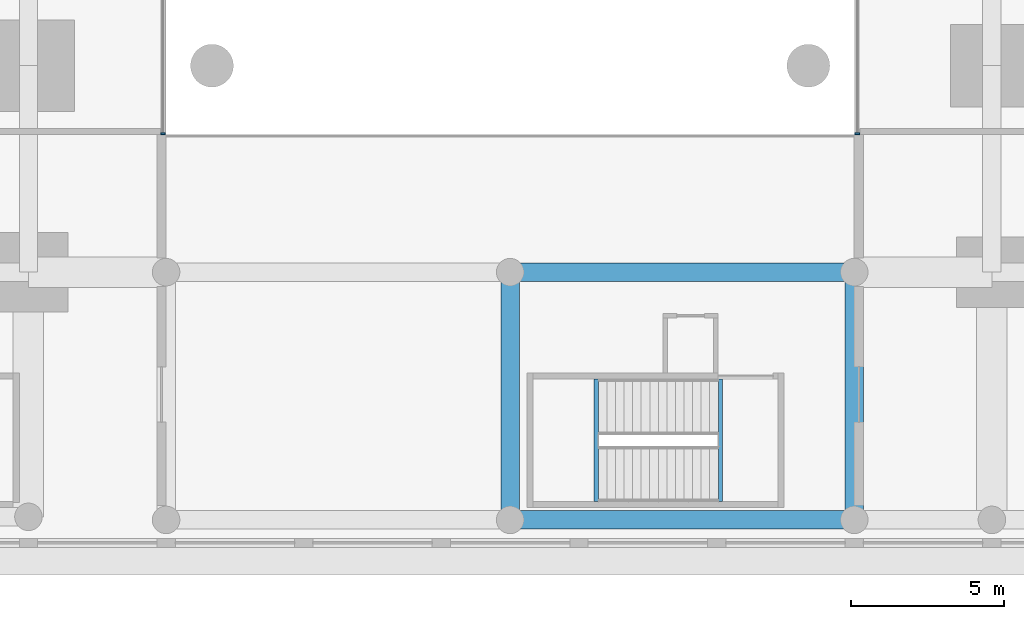
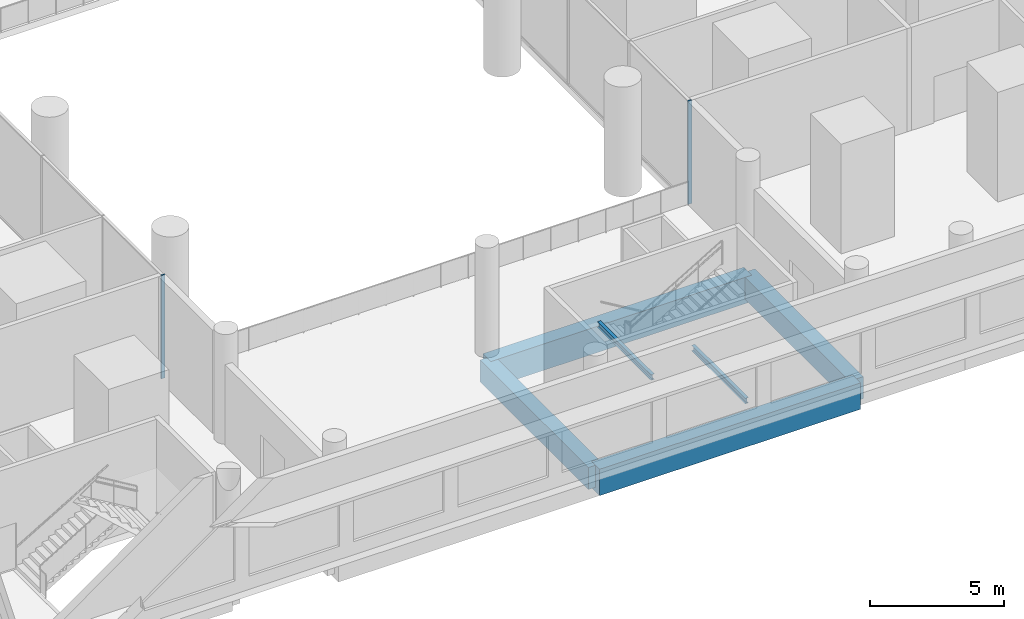
# One storey, part 2 of 21: 6 beams, 2 members, 2 elements without a shape of their own.
"""IFC4 building model written with IfcOpenShell, lengths in metres."""

from ifc_helpers import new_model, si_unit, direction, frame, origin, origin_2d, place, context, subcontext, project, spatial, rectangle, i_section, extrude, material, layer, layer_set, material_profile, profile_set, type_object, element, aggregate, save


model = new_model("IFC4")

# Units and contexts
model_context = context("Model", 3, precision=1e-05, world=origin(), true_north=direction((0.0, 1.0)))
body_context = subcontext(model_context, "Body", "Model", "MODEL_VIEW")
ifc_project = project(units=[si_unit("LENGTHUNIT", "METRE"), si_unit("AREAUNIT", "SQUARE_METRE"), si_unit("VOLUMEUNIT", "CUBIC_METRE"), si_unit("PLANEANGLEUNIT", "RADIAN"), si_unit("MASSUNIT", "GRAM", prefix="KILO")], contexts=[model_context])

# Site, building, storey
site_placement = place(None, origin())
site = spatial("IfcSite", under=ifc_project, at=site_placement, CompositionType="ELEMENT")
building_placement = place(site_placement, origin())
building = spatial("IfcBuilding", under=site, at=building_placement, Name="Namib Vertical Campus", CompositionType="ELEMENT")
storey_placement = place(building_placement, frame((0.0, 0.0, 6.0)))
storey = spatial("IfcBuildingStorey", under=building, at=storey_placement, Name="L01", CompositionType="ELEMENT", Elevation=6.0)

# Curtain wall, member
ifc_material_1 = material(Name="Black aluminium curtain wall", Category="aluminium")
ifc_layer = layer(ifc_material_1, 0.199951171875)
ifc_layer_set = layer_set([ifc_layer], Name="Atrium screen curtain wall CW-AT")
curtain_wall_type = type_object("IfcCurtainWallType", Name="Atrium screen curtain wall CW-AT", PredefinedType="USERDEFINED", material=ifc_layer_set)
curtain_wall_1_placement = place(storey_placement, origin())
curtain_wall_1 = element("IfcCurtainWall", 1, at=curtain_wall_1_placement, inside=storey, type_object=curtain_wall_type, Name="Curtain wall CW-AT atrium A L01 1", ObjectType="CURTAIN WALL", PredefinedType="USERDEFINED")
ifc_material_2 = material(Name="Black anodised aluminium", Category="aluminium")
ifc_material_profile_1 = material_profile(ifc_material_2, rectangle(XDim=0.06005859375, YDim=0.159912109375, at=origin_2d()))
ifc_profile_set_1 = profile_set([ifc_material_profile_1], Name="Black anodised aluminium")
member_type = type_object("IfcMemberType", Name="Curtain wall mullion 60x160", PredefinedType="MULLION", material=ifc_profile_set_1)
member_1_placement = place(storey_placement, frame((40.39990234375, 9.030029296875, 0.0), z_axis=(0.0, 0.0, 1.0), x_axis=(0.0, 1.0, 0.0)))
member_1 = element("IfcMember", 2, at=member_1_placement, type_object=member_type, Name="CW-AT mullion 1", PredefinedType="MULLION", context=body_context, shape_type="SweptSolid", body=[
    extrude(rectangle(XDim=0.06005859375, YDim=0.159912109375, at=origin_2d()), origin(), (0.0, 0.0, 1.0), 4.699951171875),
])
aggregate(curtain_wall_1, [member_1])

curtain_wall_2_placement = place(storey_placement, origin())
curtain_wall_2 = element("IfcCurtainWall", 3, at=curtain_wall_2_placement, inside=storey, type_object=curtain_wall_type, Name="Curtain wall CW-AT atrium B L01 1", ObjectType="CURTAIN WALL", PredefinedType="USERDEFINED")
member_2_placement = place(storey_placement, frame((63.10009765625, 9.030029296875, 0.0), z_axis=(0.0, 0.0, 1.0), x_axis=(0.0, 1.0, 0.0)))
member_2 = element("IfcMember", 4, at=member_2_placement, type_object=member_type, Name="CW-AT mullion 1", PredefinedType="MULLION", context=body_context, shape_type="SweptSolid", body=[
    extrude(rectangle(XDim=0.06005859375, YDim=0.159912109375, at=origin_2d()), origin(), (0.0, 0.0, 1.0), 4.699951171875),
])
aggregate(curtain_wall_2, [member_2])

# Beams
ifc_material_3 = material(Name="Steel S355JR", Category="steel")
ifc_material_profile_2 = material_profile(ifc_material_3, i_section(OverallWidth=0.14599609375, OverallDepth=0.25146484375, WebThickness=0.006103515625, FlangeThickness=0.008544921875, FilletRadius=0.007568359375, at=origin_2d()))
ifc_profile_set_2 = profile_set([ifc_material_profile_2], Name="Steel S355JR")
beam_type_1 = type_object("IfcBeamType", Name="Landing trimmer UB 254x146x31", PredefinedType="BEAM", material=ifc_profile_set_2)
for number, where, z_axis, x_axis, name in (
    (5, (58.626953125, -3.0, -0.125732421875), (0.0, 1.0, 0.0), (-1.0, 0.0, 0.0), "Landing trimmer LT1 P-S4 L01 1"),
    (6, (54.560791015625, -3.0, 2.374267578125), (0.0, 1.0, 0.0), (-1.0, 0.0, 0.0), "Landing trimmer LT1 P-S4 L01 2"),
):
    element("IfcBeam", number, at=place(storey_placement, frame(where, z_axis=z_axis, x_axis=x_axis)), inside=storey, type_object=beam_type_1, Name=name, PredefinedType="BEAM", context=body_context, shape_type="SweptSolid", body=[
        extrude(i_section(OverallWidth=0.14599609375, OverallDepth=0.25146484375, WebThickness=0.006103515625, FlangeThickness=0.008544921875, FilletRadius=0.007568359375, at=origin_2d()), origin(), (0.0, 0.0, 1.0), 4.0),
    ])
ifc_material_4 = material(Name="Concrete C40/50", Category="concrete")
ifc_material_profile_3 = material_profile(ifc_material_4, rectangle(XDim=0.60009765625, YDim=1.199951171875, at=origin_2d()))
ifc_profile_set_3 = profile_set([ifc_material_profile_3], Name="Concrete C40/50")
beam_type_2 = type_object("IfcBeamType", Name="Long-span podium beam RC 600x1200", PredefinedType="BEAM", material=ifc_profile_set_3)
for number, where, z_axis, x_axis, name in (
    (7, (51.75, -3.60009765625, -0.89990234375), (1.0, 0.0, 0.0), (0.0, 1.0, 0.0), "Beam PB4 L01"),
    (8, (51.75, 4.5, -0.89990234375), (1.0, 0.0, 0.0), (0.0, 1.0, 0.0), "Beam PB4 L01"),
):
    element("IfcBeam", number, at=place(storey_placement, frame(where, z_axis=z_axis, x_axis=x_axis)), inside=storey, type_object=beam_type_2, Name=name, PredefinedType="BEAM", context=body_context, shape_type="SweptSolid", body=[
        extrude(rectangle(XDim=0.60009765625, YDim=1.199951171875, at=origin_2d()), origin(), (0.0, 0.0, 1.0), 11.25),
    ])
ifc_material_5 = material(Name="Concrete C40/50", Category="concrete")
ifc_material_profile_4 = material_profile(ifc_material_5, rectangle(XDim=0.60009765625, YDim=1.0, at=origin_2d()))
ifc_profile_set_4 = profile_set([ifc_material_profile_4], Name="Concrete C40/50")
beam_type_3 = type_object("IfcBeamType", Name="Podium beam RC 600x1000", PredefinedType="BEAM", material=ifc_profile_set_4)
for number, where, z_axis, x_axis, name in (
    (9, (51.75, -3.60009765625, -0.800048828125), (0.0, 1.0, 0.0), (-1.0, 0.0, 0.0), "Beam PB1 L01"),
    (10, (63.0, -3.60009765625, -0.800048828125), (0.0, 1.0, 0.0), (-1.0, 0.0, 0.0), "Beam PB1 L01"),
):
    element("IfcBeam", number, at=place(storey_placement, frame(where, z_axis=z_axis, x_axis=x_axis)), inside=storey, type_object=beam_type_3, Name=name, PredefinedType="BEAM", context=body_context, shape_type="SweptSolid", body=[
        extrude(rectangle(XDim=0.60009765625, YDim=1.0, at=origin_2d()), origin(), (0.0, 0.0, 1.0), 8.10009765625),
    ])

save(model, "model.ifc")
